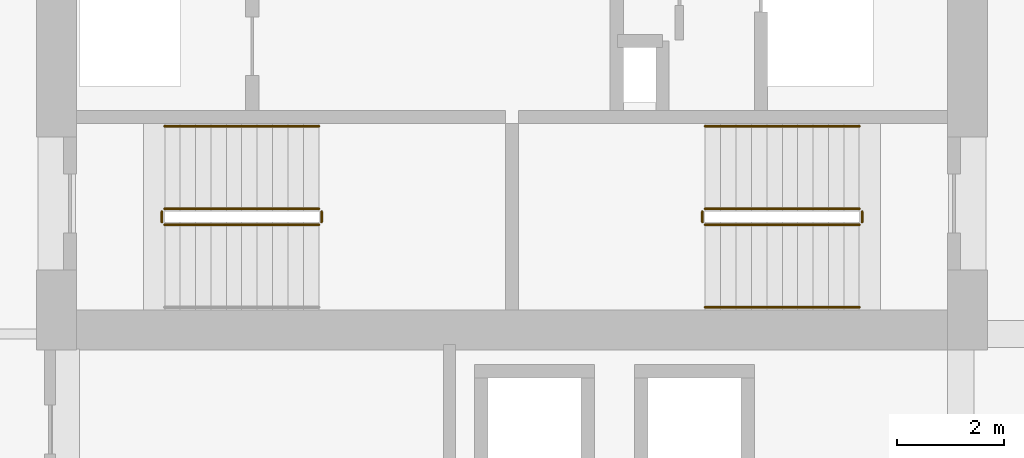
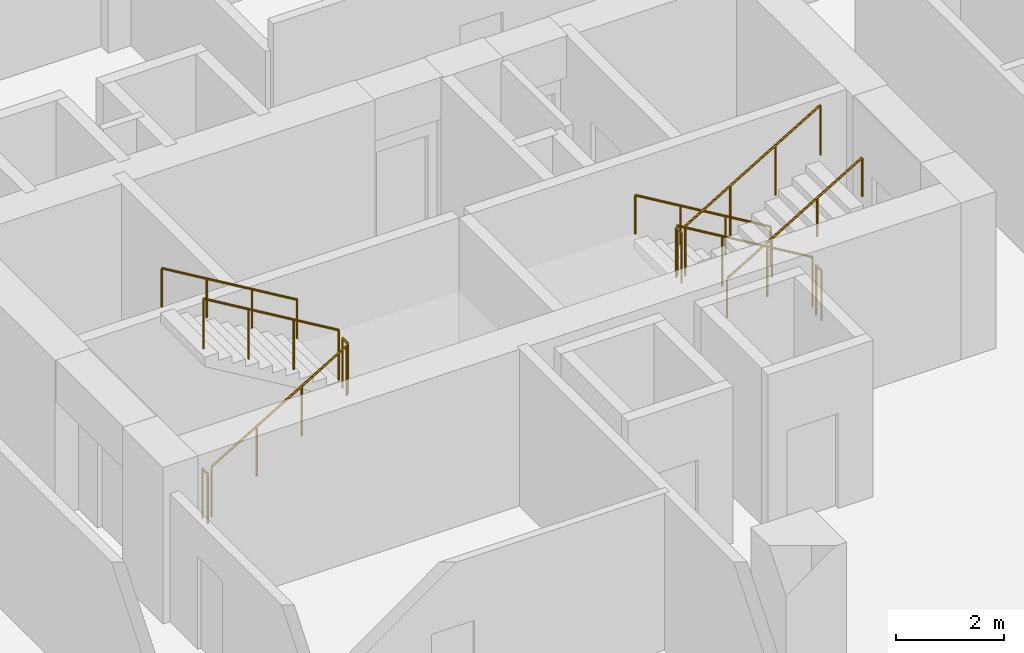
# One storey, part 22 of 24: 11 railings.
"""IFC4 building model written with IfcOpenShell, lengths in metres."""

from ifc_helpers import new_model, si_unit, direction, frame, origin, origin_2d, place, context, subcontext, project, spatial, circle, extrude, material, type_object, element, save


model = new_model("IFC4")

# Units and contexts
model_context = context("Model", 3, precision=1e-05, world=origin(), true_north=direction((0.0, 1.0)))
body_context = subcontext(model_context, "Body", "Model", "MODEL_VIEW")
ifc_project = project(units=[si_unit("LENGTHUNIT", "METRE"), si_unit("AREAUNIT", "SQUARE_METRE"), si_unit("VOLUMEUNIT", "CUBIC_METRE"), si_unit("PLANEANGLEUNIT", "RADIAN"), si_unit("MASSUNIT", "GRAM", prefix="KILO")], contexts=[model_context])

# Site, building, storey
site_placement = place(None, origin())
site = spatial("IfcSite", under=ifc_project, at=site_placement, CompositionType="ELEMENT")
building_placement = place(site_placement, origin())
building = spatial("IfcBuilding", under=site, at=building_placement, Name="Koriwani Terraces Tower", CompositionType="ELEMENT")
storey_placement = place(building_placement, frame((0.0, 0.0, 149.39990234375)))
storey = spatial("IfcBuildingStorey", under=building, at=storey_placement, Name="L36", CompositionType="ELEMENT", Elevation=149.39990234375)

# Railings
ifc_material = material(Name="Steel ASTM A572 Grade 50", Category="steel")
railing_type_1 = type_object("IfcRailingType", Name="GUARD_STAIR_WELL_1120", PredefinedType="GUARDRAIL", material=ifc_material)
railing_1_placement = place(storey_placement, frame((43.85009765625, 18.85009765625, 0.1728515625)))
element("IfcRailing", 1, at=railing_1_placement, inside=storey, type_object=railing_type_1, Name="L36 ST-E1 stair guard 1", PredefinedType="GUARDRAIL", context=body_context, shape_type="SweptSolid", body=[
    extrude(circle(Radius=0.02392578125, at=origin_2d()), frame((0.0, 0.0, 1.1259765625), z_axis=(0.859141464434, 0.0, 0.511738159696), x_axis=(0.0, 1.0, 0.0)), (0.0, 0.0, 1.0), 3.375244140625),
    extrude(circle(Radius=0.02099609375, at=origin_2d()), origin(), (0.0, 0.0, 1.0), 1.101806640625),
    extrude(circle(Radius=0.02099609375, at=origin_2d()), frame((0.966552734375, 0.0, 0.57568359375)), (0.0, 0.0, 1.0), 1.101806640625),
    extrude(circle(Radius=0.02099609375, at=origin_2d()), frame((1.933349609375, 0.0, 1.151611328125)), (0.0, 0.0, 1.0), 1.101806640625),
    extrude(circle(Radius=0.02099609375, at=origin_2d()), frame((2.89990234375, 0.0, 1.727294921875)), (0.0, 0.0, 1.0), 1.101806640625),
])
railing_2_placement = place(storey_placement, frame((46.800048828125, 18.89990234375, 1.900146484375)))
element("IfcRailing", 2, at=railing_2_placement, inside=storey, type_object=railing_type_1, Name="L36 ST-E1 stair guard 2", PredefinedType="GUARDRAIL", context=body_context, shape_type="SweptSolid", body=[
    extrude(circle(Radius=0.02392578125, at=origin_2d()), frame((0.0, 0.0, 1.1259765625), z_axis=(0.0, 1.0, 0.0), x_axis=(-1.0, 0.0, 0.0)), (0.0, 0.0, 1.0), 0.2001953125),
    extrude(circle(Radius=0.02099609375, at=origin_2d()), origin(), (0.0, 0.0, 1.0), 1.101806640625),
    extrude(circle(Radius=0.02099609375, at=origin_2d()), frame((0.0, 0.2001953125, 0.0)), (0.0, 0.0, 1.0), 1.101806640625),
])
railing_3_placement = place(storey_placement, frame((46.75, 19.14990234375, 2.07275390625)))
element("IfcRailing", 3, at=railing_3_placement, inside=storey, type_object=railing_type_1, Name="L36 ST-E1 stair guard 3", PredefinedType="GUARDRAIL", context=body_context, shape_type="SweptSolid", body=[
    extrude(circle(Radius=0.02392578125, at=origin_2d()), frame((0.0, 0.0, 1.1259765625), z_axis=(-0.859141464434, 0.0, 0.511738159696), x_axis=(0.0, -1.0, 0.0)), (0.0, 0.0, 1.0), 3.375244140625),
    extrude(circle(Radius=0.02099609375, at=origin_2d()), origin(), (0.0, 0.0, 1.0), 1.101806640625),
    extrude(circle(Radius=0.02099609375, at=origin_2d()), frame((-0.966552734375, 0.0, 0.57568359375)), (0.0, 0.0, 1.0), 1.101806640625),
    extrude(circle(Radius=0.02099609375, at=origin_2d()), frame((-1.933349609375, 0.0, 1.151611328125)), (0.0, 0.0, 1.0), 1.101806640625),
    extrude(circle(Radius=0.02099609375, at=origin_2d()), frame((-2.89990234375, 0.0, 1.727294921875)), (0.0, 0.0, 1.0), 1.101806640625),
])
railing_4_placement = place(storey_placement, frame((43.800048828125, 18.89990234375, 0.0)))
element("IfcRailing", 4, at=railing_4_placement, inside=storey, type_object=railing_type_1, Name="L36 ST-E1 stair guard 4", PredefinedType="GUARDRAIL", context=body_context, shape_type="SweptSolid", body=[
    extrude(circle(Radius=0.02392578125, at=origin_2d()), frame((0.0, 0.0, 1.1259765625), z_axis=(0.0, 1.0, 0.0), x_axis=(-1.0, 0.0, 0.0)), (0.0, 0.0, 1.0), 0.2001953125),
    extrude(circle(Radius=0.02099609375, at=origin_2d()), origin(), (0.0, 0.0, 1.0), 1.101806640625),
    extrude(circle(Radius=0.02099609375, at=origin_2d()), frame((0.0, 0.2001953125, 0.0)), (0.0, 0.0, 1.0), 1.101806640625),
])
railing_5_placement = place(storey_placement, frame((56.89990234375, 19.14990234375, 0.1728515625)))
element("IfcRailing", 5, at=railing_5_placement, inside=storey, type_object=railing_type_1, Name="L36 ST-E2 stair guard 1", PredefinedType="GUARDRAIL", context=body_context, shape_type="SweptSolid", body=[
    extrude(circle(Radius=0.02392578125, at=origin_2d()), frame((0.0, 0.0, 1.1259765625), z_axis=(-0.859141464434, 0.0, 0.511738159696), x_axis=(0.0, -1.0, 0.0)), (0.0, 0.0, 1.0), 3.375244140625),
    extrude(circle(Radius=0.02099609375, at=origin_2d()), origin(), (0.0, 0.0, 1.0), 1.101806640625),
    extrude(circle(Radius=0.02099609375, at=origin_2d()), frame((-0.966552734375, 0.0, 0.57568359375)), (0.0, 0.0, 1.0), 1.101806640625),
    extrude(circle(Radius=0.02099609375, at=origin_2d()), frame((-1.933349609375, 0.0, 1.151611328125)), (0.0, 0.0, 1.0), 1.101806640625),
    extrude(circle(Radius=0.02099609375, at=origin_2d()), frame((-2.89990234375, 0.0, 1.727294921875)), (0.0, 0.0, 1.0), 1.101806640625),
])
railing_6_placement = place(storey_placement, frame((53.949951171875, 19.10009765625, 1.900146484375)))
element("IfcRailing", 6, at=railing_6_placement, inside=storey, type_object=railing_type_1, Name="L36 ST-E2 stair guard 2", PredefinedType="GUARDRAIL", context=body_context, shape_type="SweptSolid", body=[
    extrude(circle(Radius=0.02392578125, at=origin_2d()), frame((0.0, 0.0, 1.1259765625), z_axis=(0.0, -1.0, 0.0), x_axis=(1.0, 0.0, 0.0)), (0.0, 0.0, 1.0), 0.2001953125),
    extrude(circle(Radius=0.02099609375, at=origin_2d()), origin(), (0.0, 0.0, 1.0), 1.101806640625),
    extrude(circle(Radius=0.02099609375, at=origin_2d()), frame((0.0, -0.2001953125, 0.0)), (0.0, 0.0, 1.0), 1.101806640625),
])
railing_7_placement = place(storey_placement, frame((54.0, 18.85009765625, 2.07275390625)))
element("IfcRailing", 7, at=railing_7_placement, inside=storey, type_object=railing_type_1, Name="L36 ST-E2 stair guard 3", PredefinedType="GUARDRAIL", context=body_context, shape_type="SweptSolid", body=[
    extrude(circle(Radius=0.02392578125, at=origin_2d()), frame((0.0, 0.0, 1.1259765625), z_axis=(0.859141464434, 0.0, 0.511738159696), x_axis=(0.0, 1.0, 0.0)), (0.0, 0.0, 1.0), 3.375244140625),
    extrude(circle(Radius=0.02099609375, at=origin_2d()), origin(), (0.0, 0.0, 1.0), 1.101806640625),
    extrude(circle(Radius=0.02099609375, at=origin_2d()), frame((0.966552734375, 0.0, 0.57568359375)), (0.0, 0.0, 1.0), 1.101806640625),
    extrude(circle(Radius=0.02099609375, at=origin_2d()), frame((1.933349609375, 0.0, 1.151611328125)), (0.0, 0.0, 1.0), 1.101806640625),
    extrude(circle(Radius=0.02099609375, at=origin_2d()), frame((2.89990234375, 0.0, 1.727294921875)), (0.0, 0.0, 1.0), 1.101806640625),
])
railing_8_placement = place(storey_placement, frame((56.949951171875, 19.10009765625, 0.0)))
element("IfcRailing", 8, at=railing_8_placement, inside=storey, type_object=railing_type_1, Name="L36 ST-E2 stair guard 4", PredefinedType="GUARDRAIL", context=body_context, shape_type="SweptSolid", body=[
    extrude(circle(Radius=0.02392578125, at=origin_2d()), frame((0.0, 0.0, 1.1259765625), z_axis=(0.0, -1.0, 0.0), x_axis=(1.0, 0.0, 0.0)), (0.0, 0.0, 1.0), 0.2001953125),
    extrude(circle(Radius=0.02099609375, at=origin_2d()), origin(), (0.0, 0.0, 1.0), 1.101806640625),
    extrude(circle(Radius=0.02099609375, at=origin_2d()), frame((0.0, -0.2001953125, 0.0)), (0.0, 0.0, 1.0), 1.101806640625),
])
railing_type_2 = type_object("IfcRailingType", Name="HANDRAIL_STAIR_920", PredefinedType="HANDRAIL", material=ifc_material)
for number, where, name in (
    (9, (46.75, 20.699951171875, 2.07275390625), "L36 ST-E1 stair handrail 2"),
    (10, (56.89990234375, 20.699951171875, 0.1728515625), "L36 ST-E2 stair handrail 1"),
):
    element("IfcRailing", number, at=place(storey_placement, frame(where)), inside=storey, type_object=railing_type_2, Name=name, PredefinedType="HANDRAIL", context=body_context, shape_type="SweptSolid", body=[
        extrude(circle(Radius=0.02392578125, at=origin_2d()), frame((0.0, 0.0, 0.8759765625), z_axis=(-0.859141464434, 0.0, 0.511738159696), x_axis=(0.0, -1.0, 0.0)), (0.0, 0.0, 1.0), 3.375244140625),
        extrude(circle(Radius=0.02099609375, at=origin_2d()), origin(), (0.0, 0.0, 1.0), 0.851806640625),
        extrude(circle(Radius=0.02099609375, at=origin_2d()), frame((-0.966552734375, 0.0, 0.57568359375)), (0.0, 0.0, 1.0), 0.851806640625),
        extrude(circle(Radius=0.02099609375, at=origin_2d()), frame((-1.933349609375, 0.0, 1.151611328125)), (0.0, 0.0, 1.0), 0.851806640625),
        extrude(circle(Radius=0.02099609375, at=origin_2d()), frame((-2.89990234375, 0.0, 1.727294921875)), (0.0, 0.0, 1.0), 0.851806640625),
    ])
railing_9_placement = place(storey_placement, frame((54.0, 17.300048828125, 2.07275390625)))
element("IfcRailing", 11, at=railing_9_placement, inside=storey, type_object=railing_type_2, Name="L36 ST-E2 stair handrail 2", PredefinedType="HANDRAIL", context=body_context, shape_type="SweptSolid", body=[
    extrude(circle(Radius=0.02392578125, at=origin_2d()), frame((0.0, 0.0, 0.8759765625), z_axis=(0.859141464434, 0.0, 0.511738159696), x_axis=(0.0, 1.0, 0.0)), (0.0, 0.0, 1.0), 3.375244140625),
    extrude(circle(Radius=0.02099609375, at=origin_2d()), origin(), (0.0, 0.0, 1.0), 0.851806640625),
    extrude(circle(Radius=0.02099609375, at=origin_2d()), frame((0.966552734375, 0.0, 0.57568359375)), (0.0, 0.0, 1.0), 0.851806640625),
    extrude(circle(Radius=0.02099609375, at=origin_2d()), frame((1.933349609375, 0.0, 1.151611328125)), (0.0, 0.0, 1.0), 0.851806640625),
    extrude(circle(Radius=0.02099609375, at=origin_2d()), frame((2.89990234375, 0.0, 1.727294921875)), (0.0, 0.0, 1.0), 0.851806640625),
])

save(model, "model.ifc")
